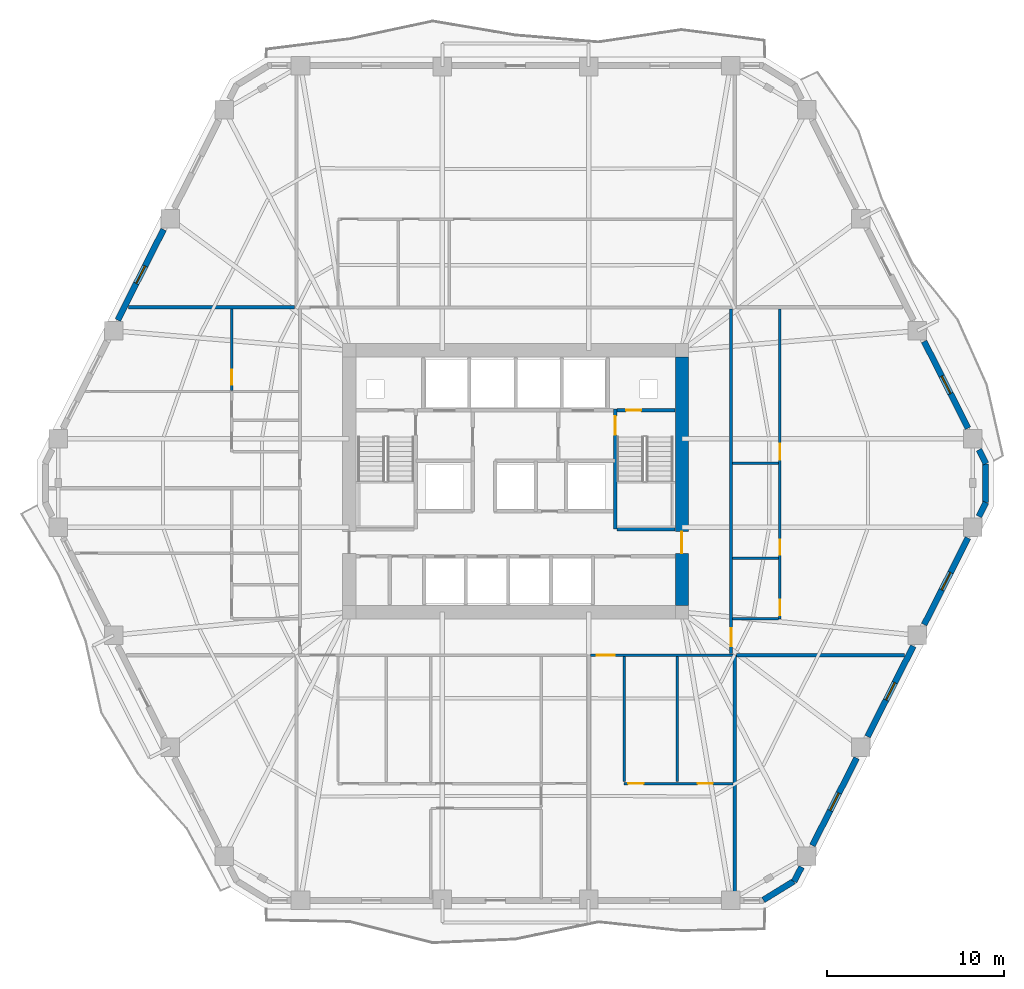
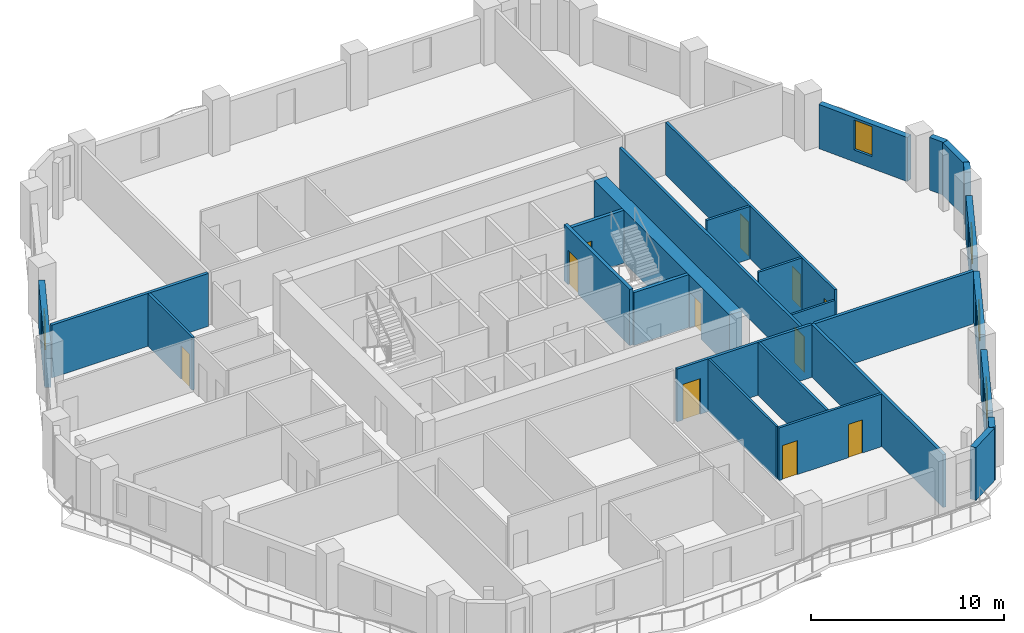
# One storey, part 6 of 10: 27 walls, 11 doors, 5 windows, 16 openings.
"""IFC4 building model written with IfcOpenShell, lengths in metres."""

from ifc_helpers import new_model, si_unit, direction, frame, frame_2d, origin, place, context, subcontext, project, spatial, rectangle, extrude, material, layer, layer_set, type_object, element, fill, save


model = new_model("IFC4")

# Units and contexts
model_context = context("Model", 3, precision=1e-05, world=origin(), true_north=direction((0.0, 1.0)))
body_context = subcontext(model_context, "Body", "Model", "MODEL_VIEW")
ifc_project = project(units=[si_unit("LENGTHUNIT", "METRE"), si_unit("AREAUNIT", "SQUARE_METRE"), si_unit("VOLUMEUNIT", "CUBIC_METRE"), si_unit("PLANEANGLEUNIT", "RADIAN"), si_unit("MASSUNIT", "GRAM", prefix="KILO")], contexts=[model_context])

# Site, building, storey
site_placement = place(None, origin())
site = spatial("IfcSite", under=ifc_project, at=site_placement, CompositionType="ELEMENT")
building_placement = place(site_placement, origin())
building = spatial("IfcBuilding", under=site, at=building_placement, Name="Cinnabar Lancet Tower", CompositionType="ELEMENT")
storey_placement = place(building_placement, frame((0.0, 0.0, 87.10009765625)))
storey = spatial("IfcBuildingStorey", under=building, at=storey_placement, Name="L22", CompositionType="ELEMENT", Elevation=87.10009765625)

# Wall, opening, door
ifc_material_1 = material(Name="Acoustic twin-stud gypsum partition", Category="gypsum")
ifc_layer_1 = layer(ifc_material_1, 0.159912109375)
ifc_layer_set_1 = layer_set([ifc_layer_1], Name="Acoustic twin-stud gypsum partition")
wall_type_1 = type_object("IfcWallType", Name="ARC-WL-CORR-160", PredefinedType="PARTITIONING", material=ifc_layer_set_1)
wall_1_placement = place(storey_placement, frame((36.616943359375, 16.10009765625, 0.0), z_axis=(0.0, 0.0, 1.0), x_axis=(1.0, 0.0, 0.0)))
wall_1 = element("IfcWall", 1, at=wall_1_placement, inside=storey, type_object=wall_type_1, Name="L22 Unit S02 Corridor Wall", PredefinedType="PARTITIONING", context=body_context, shape_type="SweptSolid", body=[
    extrude(rectangle(XDim=8.0380859375, YDim=0.159912109375, at=frame_2d((4.01904296875, 0.0))), origin(), (0.0, 0.0, 1.0), 3.329833984375),
])
opening_1_placement = place(wall_1_placement, frame((0.35498046875, 0.0, 0.0)))
opening_1 = element("IfcOpeningElement", 2, at=opening_1_placement, cuts=wall_1, Name="Opening UD-01", PredefinedType="OPENING", context=body_context, shape_type="SweptSolid", body=[
    extrude(rectangle(XDim=1.02001953125, YDim=2.25, at=frame_2d((0.510009765625, 1.125))), frame((0.0, 0.08984375, 0.0), z_axis=(0.0, -1.0, 0.0), x_axis=(1.0, 0.0, 0.0)), (0.0, 0.0, 1.0), 0.179931640625),
])
ifc_material_2 = material(Name="Solid timber fire-rated apartment entrance door", Category="wood")
door_type_1 = type_object("IfcDoorType", Name="ARC-DR-UNIT", OperationType="NOTDEFINED", PredefinedType="DOOR", material=ifc_material_2)
door_1_placement = place(opening_1_placement, origin())
door_1 = element("IfcDoor", 3, at=door_1_placement, inside=storey, type_object=door_type_1, Name="DR-L22-S02-ENT", OperationType="SINGLE_SWING_RIGHT", OverallHeight=2.25, OverallWidth=1.02001953125, PredefinedType="DOOR", context=body_context, shape_type="SweptSolid", body=[
    extrude(rectangle(XDim=1.02001953125, YDim=2.25, at=frame_2d((0.510009765625, 1.125))), frame((0.0, 0.02490234375, 0.0), z_axis=(0.0, -1.0, 0.0), x_axis=(1.0, 0.0, 0.0)), (0.0, 0.0, 1.0), 0.050048828125),
])
fill(opening_1, door_1)

wall_2_placement = place(storey_placement, frame((44.550048828125, 16.195068359375, 0.0), z_axis=(0.0, 0.0, 1.0), x_axis=(0.0, 1.0, 0.0)))
wall_2 = element("IfcWall", 4, at=wall_2_placement, inside=storey, type_object=wall_type_1, Name="UW-L22-E01-COR", PredefinedType="PARTITIONING", context=body_context, shape_type="SweptSolid", body=[
    extrude(rectangle(XDim=19.409912109375, YDim=0.159912109375, at=frame_2d((9.705078125, 0.0))), origin(), (0.0, 0.0, 1.0), 2.699951171875),
])
opening_2_placement = place(wall_2_placement, frame((0.39990234375, 0.0, 0.0)))
opening_2 = element("IfcOpeningElement", 5, at=opening_2_placement, cuts=wall_2, Name="Opening UD-01", PredefinedType="OPENING", context=body_context, shape_type="SweptSolid", body=[
    extrude(rectangle(XDim=1.02001953125, YDim=2.25, at=frame_2d((0.510009765625, 1.125))), frame((0.0, 0.08984375, 0.0), z_axis=(0.0, -1.0, 0.0), x_axis=(1.0, 0.0, 0.0)), (0.0, 0.0, 1.0), 0.179931640625),
])
door_2_placement = place(opening_2_placement, origin())
door_2 = element("IfcDoor", 6, at=door_2_placement, inside=storey, type_object=door_type_1, Name="DR-L22-E01-ENT", OperationType="SINGLE_SWING_RIGHT", OverallHeight=2.25, OverallWidth=1.02001953125, PredefinedType="DOOR", context=body_context, shape_type="SweptSolid", body=[
    extrude(rectangle(XDim=1.02001953125, YDim=2.25, at=frame_2d((0.510009765625, 1.125))), frame((0.0, 0.02490234375, 0.0), z_axis=(0.0, -1.0, 0.0), x_axis=(1.0, 0.0, 0.0)), (0.0, 0.0, 1.0), 0.050048828125),
])
fill(opening_2, door_2)

# Walls
ifc_material_3 = material(Name="Fire-rated twin-frame acoustic drywall", Category="gypsum")
ifc_layer_2 = layer(ifc_material_3, 0.179931640625)
ifc_layer_set_2 = layer_set([ifc_layer_2], Name="Fire-rated twin-frame acoustic drywall")
wall_type_2 = type_object("IfcWallType", Name="ARC-WL-PARTY-180", PredefinedType="PARTITIONING", material=ifc_layer_set_2)
wall_3_placement = place(storey_placement, frame((44.75, 2.455078125, 0.0), z_axis=(0.0, 0.0, 1.0), x_axis=(0.0, 1.0, 0.0)))
element("IfcWall", 7, at=wall_3_placement, inside=storey, type_object=wall_type_2, Name="PW-L22-SPTY-448", PredefinedType="PARTITIONING", context=body_context, shape_type="SweptSolid", body=[
    extrude(rectangle(XDim=13.64501953125, YDim=0.179931640625, at=frame_2d((6.822509765625, 0.0))), origin(), (0.0, 0.0, 1.0), 3.329833984375),
])
wall_4_placement = place(storey_placement, frame((44.844970703125, 16.10009765625, 0.0), z_axis=(0.0, 0.0, 1.0), x_axis=(1.0, 0.0, 0.0)))
element("IfcWall", 8, at=wall_4_placement, inside=storey, type_object=wall_type_2, Name="PW-L22-ESB", PredefinedType="PARTITIONING", context=body_context, shape_type="SweptSolid", body=[
    extrude(rectangle(XDim=9.467041015625, YDim=0.179931640625, at=frame_2d((4.7333984375, 0.0))), origin(), (0.0, 0.0, 1.0), 3.329833984375),
])
wall_5_placement = place(storey_placement, frame((10.589111328125, 35.699951171875, 0.0), z_axis=(0.0, 0.0, 1.0), x_axis=(1.0, 0.0, 0.0)))
element("IfcWall", 9, at=wall_5_placement, inside=storey, type_object=wall_type_2, Name="PW-L22-WNB", PredefinedType="PARTITIONING", context=body_context, shape_type="SweptSolid", body=[
    extrude(rectangle(XDim=9.365966796875, YDim=0.179931640625, at=frame_2d((4.68310546875, 0.0))), origin(), (0.0, 0.0, 1.0), 3.329833984375),
])
ifc_material_4 = material(Name="Autoclaved aerated concrete blockwork", Category="masonry")
ifc_layer_3 = layer(ifc_material_4, 0.199951171875)
ifc_layer_set_3 = layer_set([ifc_layer_3], Name="Autoclaved aerated concrete blockwork")
wall_type_3 = type_object("IfcWallType", Name="ARC-WL-SHAFT-200", PredefinedType="PLUMBINGWALL", material=ifc_layer_set_3)
wall_6_placement = place(storey_placement, frame((38.125, 23.199951171875, 0.0), z_axis=(0.0, 0.0, 1.0), x_axis=(1.0, 0.0, 0.0)))
element("IfcWall", 10, at=wall_6_placement, inside=storey, type_object=wall_type_3, Name="CW-ST2S-L22", PredefinedType="PLUMBINGWALL", context=body_context, shape_type="SweptSolid", body=[
    extrude(rectangle(XDim=3.27001953125, YDim=0.199951171875, at=frame_2d((1.635009765625, 0.0))), origin(), (0.0, 0.0, 1.0), 3.329833984375),
])

# Wall, opening, door
wall_7_placement = place(storey_placement, frame((38.125, 29.89990234375, 0.0), z_axis=(0.0, 0.0, 1.0), x_axis=(1.0, 0.0, 0.0)))
wall_7 = element("IfcWall", 11, at=wall_7_placement, inside=storey, type_object=wall_type_3, Name="CW-NSH-E-L22", PredefinedType="PLUMBINGWALL", context=body_context, shape_type="SweptSolid", body=[
    extrude(rectangle(XDim=3.27001953125, YDim=0.199951171875, at=frame_2d((1.635009765625, 0.0))), origin(), (0.0, 0.0, 1.0), 3.329833984375),
])
opening_3_placement = place(wall_7_placement, frame((0.5, 0.0, 0.0)))
opening_3 = element("IfcOpeningElement", 12, at=opening_3_placement, cuts=wall_7, Name="Opening PD-02", PredefinedType="OPENING", context=body_context, shape_type="SweptSolid", body=[
    extrude(rectangle(XDim=0.85009765625, YDim=2.050048828125, at=frame_2d((0.425048828125, 1.02490234375))), frame((0.0, 0.10986328125, 0.0), z_axis=(0.0, -1.0, 0.0), x_axis=(1.0, 0.0, 0.0)), (0.0, 0.0, 1.0), 0.219970703125),
])
ifc_material_5 = material(Name="Fire-rated steel riser access door", Category="steel")
door_type_2 = type_object("IfcDoorType", Name="ARC-DR-RISER", OperationType="NOTDEFINED", PredefinedType="DOOR", material=ifc_material_5)
door_3_placement = place(opening_3_placement, origin())
door_3 = element("IfcDoor", 13, at=door_3_placement, inside=storey, type_object=door_type_2, Name="L22 East Riser Access Door", OperationType="SINGLE_SWING_RIGHT", OverallHeight=2.050048828125, OverallWidth=0.85009765625, PredefinedType="DOOR", context=body_context, shape_type="SweptSolid", body=[
    extrude(rectangle(XDim=0.85009765625, YDim=2.050048828125, at=frame_2d((0.425048828125, 1.02490234375))), frame((0.0, 0.02490234375, 0.0), z_axis=(0.0, -1.0, 0.0), x_axis=(1.0, 0.0, 0.0)), (0.0, 0.0, 1.0), 0.050048828125),
])
fill(opening_3, door_3)

# Walls
ifc_material_6 = material(Name="Gypsum plasterboard stud partition", Category="gypsum")
ifc_layer_4 = layer(ifc_material_6, 0.125)
ifc_layer_set_4 = layer_set([ifc_layer_4], Name="Gypsum plasterboard stud partition")
wall_type_4 = type_object("IfcWallType", Name="ARC-WL-UNIT-125", PredefinedType="PARTITIONING", material=ifc_layer_set_4)
wall_8_placement = place(storey_placement, frame((38.52197265625, 8.972900390625, 0.0), z_axis=(0.0, 0.0, 1.0), x_axis=(0.0, 1.0, 0.0)))
element("IfcWall", 14, at=wall_8_placement, inside=storey, type_object=wall_type_4, Name="UW-L22-S02-FOYE", PredefinedType="PARTITIONING", context=body_context, shape_type="SweptSolid", body=[
    extrude(rectangle(XDim=7.0419921875, YDim=0.125, at=frame_2d((3.52099609375, 0.0))), origin(), (0.0, 0.0, 1.0), 3.329833984375),
])
wall_9_placement = place(storey_placement, frame((44.635009765625, 18.14990234375, 0.0), z_axis=(0.0, 0.0, 1.0), x_axis=(1.0, 0.0, 0.0)))
element("IfcWall", 15, at=wall_9_placement, inside=storey, type_object=wall_type_4, Name="UW-L22-E01-FOYN", PredefinedType="PARTITIONING", context=body_context, shape_type="SweptSolid", body=[
    extrude(rectangle(XDim=2.580078125, YDim=0.125, at=frame_2d((1.2900390625, 0.0))), origin(), (0.0, 0.0, 1.0), 2.699951171875),
])

# Wall, openings, doors
ifc_material_7 = material(Name="Moisture-resistant cement-board plumbing wall", Category="masonry")
ifc_layer_5 = layer(ifc_material_7, 0.139892578125)
ifc_layer_set_5 = layer_set([ifc_layer_5], Name="Moisture-resistant cement-board plumbing wall")
wall_type_5 = type_object("IfcWallType", Name="ARC-WL-WET-140", PredefinedType="PLUMBINGWALL", material=ifc_layer_set_5)
wall_10_placement = place(storey_placement, frame((38.52197265625, 8.867919921875, 0.0), z_axis=(0.0, 0.0, 1.0), x_axis=(1.0, 0.0, 0.0)))
wall_10 = element("IfcWall", 16, at=wall_10_placement, inside=storey, type_object=wall_type_5, Name="UW-L22-S02-SPL", PredefinedType="PLUMBINGWALL", context=body_context, shape_type="SweptSolid", body=[
    extrude(rectangle(XDim=6.133056640625, YDim=0.139892578125, at=frame_2d((3.06640625, 0.0))), origin(), (0.0, 0.0, 1.0), 3.329833984375),
])
opening_4_placement = place(wall_10_placement, frame((4.135986328125, 0.0, 0.0)))
opening_4 = element("IfcOpeningElement", 17, at=opening_4_placement, cuts=wall_10, Name="Opening BD-01", PredefinedType="OPENING", context=body_context, shape_type="SweptSolid", body=[
    extrude(rectangle(XDim=0.860107421875, YDim=2.10009765625, at=frame_2d((0.43017578125, 1.050048828125))), frame((0.0, 0.079833984375, 0.0), z_axis=(0.0, -1.0, 0.0), x_axis=(1.0, 0.0, 0.0)), (0.0, 0.0, 1.0), 0.159912109375),
])
opening_5_placement = place(wall_10_placement, frame((0.219970703125, 0.0, 0.0)))
opening_5 = element("IfcOpeningElement", 18, at=opening_5_placement, cuts=wall_10, Name="Opening RD-02", PredefinedType="OPENING", context=body_context, shape_type="SweptSolid", body=[
    extrude(rectangle(XDim=0.8798828125, YDim=2.14990234375, at=frame_2d((0.43994140625, 1.074951171875))), frame((0.0, 0.079833984375, 0.0), z_axis=(0.0, -1.0, 0.0), x_axis=(1.0, 0.0, 0.0)), (0.0, 0.0, 1.0), 0.159912109375),
])
ifc_material_8 = material(Name="Moisture-resistant timber bathroom door", Category="wood")
door_type_3 = type_object("IfcDoorType", Name="ARC-DR-BATH", OperationType="NOTDEFINED", PredefinedType="DOOR", material=ifc_material_8)
door_4_placement = place(opening_4_placement, origin())
door_4 = element("IfcDoor", 19, at=door_4_placement, inside=storey, type_object=door_type_3, Name="DR-L22-S02-BTH", OperationType="SINGLE_SWING_RIGHT", OverallHeight=2.10009765625, OverallWidth=0.860107421875, PredefinedType="DOOR", context=body_context, shape_type="SweptSolid", body=[
    extrude(rectangle(XDim=0.860107421875, YDim=2.10009765625, at=frame_2d((0.43017578125, 1.050048828125))), frame((0.0, 0.02490234375, 0.0), z_axis=(0.0, -1.0, 0.0), x_axis=(1.0, 0.0, 0.0)), (0.0, 0.0, 1.0), 0.050048828125),
])
fill(opening_4, door_4)
ifc_material_9 = material(Name="Engineered timber study door", Category="wood")
door_type_4 = type_object("IfcDoorType", Name="ARC-DR-STUDY", OperationType="NOTDEFINED", PredefinedType="DOOR", material=ifc_material_9)
door_5_placement = place(opening_5_placement, origin())
door_5 = element("IfcDoor", 20, at=door_5_placement, inside=storey, type_object=door_type_4, Name="DR-L22-S02-KIT", OperationType="SINGLE_SWING_LEFT", OverallHeight=2.14990234375, OverallWidth=0.8798828125, PredefinedType="DOOR", context=body_context, shape_type="SweptSolid", body=[
    extrude(rectangle(XDim=0.8798828125, YDim=2.14990234375, at=frame_2d((0.43994140625, 1.074951171875))), frame((0.0, 0.02490234375, 0.0), z_axis=(0.0, -1.0, 0.0), x_axis=(1.0, 0.0, 0.0)), (0.0, 0.0, 1.0), 0.050048828125),
])
fill(opening_5, door_5)

# Wall
wall_11_placement = place(storey_placement, frame((41.510986328125, 8.972900390625, 0.0), z_axis=(0.0, 0.0, 1.0), x_axis=(0.0, 1.0, 0.0)))
element("IfcWall", 21, at=wall_11_placement, inside=storey, type_object=wall_type_5, Name="UW-L22-S02-KDV", PredefinedType="PLUMBINGWALL", context=body_context, shape_type="SweptSolid", body=[
    extrude(rectangle(XDim=7.0419921875, YDim=0.139892578125, at=frame_2d((3.52099609375, 0.0))), origin(), (0.0, 0.0, 1.0), 3.329833984375),
])

# Wall, opening, door
wall_12_placement = place(storey_placement, frame((16.39990234375, 31.028076171875, 0.0), z_axis=(0.0, 0.0, 1.0), x_axis=(0.0, 1.0, 0.0)))
wall_12 = element("IfcWall", 22, at=wall_12_placement, inside=storey, type_object=wall_type_5, Name="UW-L22-W02-SPM", PredefinedType="PLUMBINGWALL", context=body_context, shape_type="SweptSolid", body=[
    extrude(rectangle(XDim=4.576904296875, YDim=0.139892578125, at=frame_2d((2.28857421875, 0.0))), origin(), (0.0, 0.0, 1.0), 3.329833984375),
])
opening_6_placement = place(wall_12_placement, frame((0.300048828125, 0.0, 0.0)))
opening_6 = element("IfcOpeningElement", 23, at=opening_6_placement, cuts=wall_12, Name="Opening BD-01", PredefinedType="OPENING", context=body_context, shape_type="SweptSolid", body=[
    extrude(rectangle(XDim=0.860107421875, YDim=2.10009765625, at=frame_2d((0.43017578125, 1.050048828125))), frame((0.0, 0.079833984375, 0.0), z_axis=(0.0, -1.0, 0.0), x_axis=(1.0, 0.0, 0.0)), (0.0, 0.0, 1.0), 0.159912109375),
])
door_6_placement = place(opening_6_placement, origin())
door_6 = element("IfcDoor", 24, at=door_6_placement, inside=storey, type_object=door_type_3, Name="DR-L22-W02-ENS", OperationType="SINGLE_SWING_RIGHT", OverallHeight=2.10009765625, OverallWidth=0.860107421875, PredefinedType="DOOR", context=body_context, shape_type="SweptSolid", body=[
    extrude(rectangle(XDim=0.860107421875, YDim=2.10009765625, at=frame_2d((0.43017578125, 1.050048828125))), frame((0.0, 0.02490234375, 0.0), z_axis=(0.0, -1.0, 0.0), x_axis=(1.0, 0.0, 0.0)), (0.0, 0.0, 1.0), 0.050048828125),
])
fill(opening_6, door_6)

# Wall, openings, doors
wall_13_placement = place(storey_placement, frame((47.300048828125, 18.14990234375, 0.0), z_axis=(0.0, 0.0, 1.0), x_axis=(0.0, 1.0, 0.0)))
wall_13 = element("IfcWall", 25, at=wall_13_placement, inside=storey, type_object=wall_type_5, Name="UW-L22-E01-SPL", PredefinedType="PLUMBINGWALL", context=body_context, shape_type="SweptSolid", body=[
    extrude(rectangle(XDim=17.455078125, YDim=0.139892578125, at=frame_2d((8.7275390625, 0.0))), origin(), (0.0, 0.0, 1.0), 3.329833984375),
])
opening_7_placement = place(wall_13_placement, frame((3.60009765625, 0.0, 0.0)))
opening_7 = element("IfcOpeningElement", 26, at=opening_7_placement, cuts=wall_13, Name="Opening BD-01", PredefinedType="OPENING", context=body_context, shape_type="SweptSolid", body=[
    extrude(rectangle(XDim=0.860107421875, YDim=2.10009765625, at=frame_2d((0.43017578125, 1.050048828125))), frame((0.0, 0.079833984375, 0.0), z_axis=(0.0, -1.0, 0.0), x_axis=(1.0, 0.0, 0.0)), (0.0, 0.0, 1.0), 0.159912109375),
])
opening_8_placement = place(wall_13_placement, frame((8.969970703125, 0.0, 0.0)))
opening_8 = element("IfcOpeningElement", 27, at=opening_8_placement, cuts=wall_13, Name="Opening RD-02", PredefinedType="OPENING", context=body_context, shape_type="SweptSolid", body=[
    extrude(rectangle(XDim=0.8798828125, YDim=2.14990234375, at=frame_2d((0.43994140625, 1.074951171875))), frame((0.0, 0.079833984375, 0.0), z_axis=(0.0, -1.0, 0.0), x_axis=(1.0, 0.0, 0.0)), (0.0, 0.0, 1.0), 0.159912109375),
])
opening_9_placement = place(wall_13_placement, frame((0.199951171875, 0.0, 0.0)))
opening_9 = element("IfcOpeningElement", 28, at=opening_9_placement, cuts=wall_13, Name="Opening RD-02", PredefinedType="OPENING", context=body_context, shape_type="SweptSolid", body=[
    extrude(rectangle(XDim=0.8798828125, YDim=2.14990234375, at=frame_2d((0.43994140625, 1.074951171875))), frame((0.0, 0.079833984375, 0.0), z_axis=(0.0, -1.0, 0.0), x_axis=(1.0, 0.0, 0.0)), (0.0, 0.0, 1.0), 0.159912109375),
])
door_7_placement = place(opening_7_placement, origin())
door_7 = element("IfcDoor", 29, at=door_7_placement, inside=storey, type_object=door_type_3, Name="DR-L22-E01-BTH", OperationType="SINGLE_SWING_RIGHT", OverallHeight=2.10009765625, OverallWidth=0.860107421875, PredefinedType="DOOR", context=body_context, shape_type="SweptSolid", body=[
    extrude(rectangle(XDim=0.860107421875, YDim=2.10009765625, at=frame_2d((0.43017578125, 1.050048828125))), frame((0.0, 0.02490234375, 0.0), z_axis=(0.0, -1.0, 0.0), x_axis=(1.0, 0.0, 0.0)), (0.0, 0.0, 1.0), 0.050048828125),
])
fill(opening_7, door_7)
door_8_placement = place(opening_8_placement, origin())
door_8 = element("IfcDoor", 30, at=door_8_placement, inside=storey, type_object=door_type_4, Name="DR-L22-E01-WDR", OperationType="SINGLE_SWING_LEFT", OverallHeight=2.14990234375, OverallWidth=0.8798828125, PredefinedType="DOOR", context=body_context, shape_type="SweptSolid", body=[
    extrude(rectangle(XDim=0.8798828125, YDim=2.14990234375, at=frame_2d((0.43994140625, 1.074951171875))), frame((0.0, 0.02490234375, 0.0), z_axis=(0.0, -1.0, 0.0), x_axis=(1.0, 0.0, 0.0)), (0.0, 0.0, 1.0), 0.050048828125),
])
fill(opening_8, door_8)
door_9_placement = place(opening_9_placement, origin())
door_9 = element("IfcDoor", 31, at=door_9_placement, inside=storey, type_object=door_type_4, Name="DR-L22-E01-KIT", OperationType="SINGLE_SWING_LEFT", OverallHeight=2.14990234375, OverallWidth=0.8798828125, PredefinedType="DOOR", context=body_context, shape_type="SweptSolid", body=[
    extrude(rectangle(XDim=0.8798828125, YDim=2.14990234375, at=frame_2d((0.43994140625, 1.074951171875))), frame((0.0, 0.02490234375, 0.0), z_axis=(0.0, -1.0, 0.0), x_axis=(1.0, 0.0, 0.0)), (0.0, 0.0, 1.0), 0.050048828125),
])
fill(opening_9, door_9)

# Walls
for number, where, z_axis, x_axis, name in (
    (32, (44.635009765625, 21.550048828125, 0.0), (0.0, 0.0, 1.0), (1.0, 0.0, 0.0), "UW-L22-E01-KDV"),
    (33, (44.635009765625, 26.919921875, 0.0), (0.0, 0.0, 1.0), (1.0, 0.0, 0.0), "UW-L22-E01-BWDV"),
):
    element("IfcWall", number, at=place(storey_placement, frame(where, z_axis=z_axis, x_axis=x_axis)), inside=storey, type_object=wall_type_5, Name=name, PredefinedType="PLUMBINGWALL", context=body_context, shape_type="SweptSolid", body=[
        extrude(rectangle(XDim=2.580078125, YDim=0.139892578125, at=frame_2d((1.2900390625, 0.0))), origin(), (0.0, 0.0, 1.0), 3.329833984375),
    ])
ifc_material_10 = material(Name="Cinnabar red clay brick", Category="masonry")
ifc_layer_6 = layer(ifc_material_10, 0.340087890625)
ifc_layer_set_6 = layer_set([ifc_layer_6], Name="Cinnabar red clay brick")
wall_type_6 = type_object("IfcWallType", Name="ENV-WL-BRK-RED-340", PredefinedType="STANDARD", material=ifc_layer_set_6)
wall_14_placement = place(storey_placement, frame((46.361083984375, 2.304931640625, 0.0), z_axis=(0.0, 0.0, 1.0), x_axis=(0.851816122478, 0.523840904748, 0.0)))
element("IfcWall", 34, at=wall_14_placement, inside=storey, type_object=wall_type_6, Name="L22 Chamfered Corner Brick Pier 2.1", PredefinedType="STANDARD", context=body_context, shape_type="SweptSolid", body=[
    extrude(rectangle(XDim=2.01806640625, YDim=0.340087890625, at=frame_2d((1.009033203125, 0.0))), origin(), (0.0, 0.0, 1.0), 3.329833984375),
])
wall_15_placement = place(storey_placement, frame((58.887939453125, 24.714111328125, 0.0), z_axis=(0.0, 0.0, 1.0), x_axis=(0.0, 1.0, 0.0)))
element("IfcWall", 35, at=wall_15_placement, inside=storey, type_object=wall_type_6, Name="L22 Chamfered Corner Brick Pier 3.1", PredefinedType="STANDARD", context=body_context, shape_type="SweptSolid", body=[
    extrude(rectangle(XDim=2.171875, YDim=0.340087890625, at=frame_2d((1.0859375, 0.0))), origin(), (0.0, 0.0, 1.0), 3.329833984375),
])
wall_16_placement = place(storey_placement, frame((48.10009765625, 3.345947265625, 0.0), z_axis=(0.0, 0.0, 1.0), x_axis=(0.451981678291, 0.892027220711, 0.0)))
element("IfcWall", 36, at=wall_16_placement, inside=storey, type_object=wall_type_6, Name="L22 Face 2 Masonry Bay Wall 1", PredefinedType="STANDARD", context=body_context, shape_type="SweptSolid", body=[
    extrude(rectangle(XDim=0.92041015625, YDim=0.340087890625, at=frame_2d((0.460205078125, 0.0))), origin(), (0.0, 0.0, 1.0), 3.329833984375),
])

# Wall, opening, window
wall_17_placement = place(storey_placement, frame((49.1279296875, 5.37890625, 0.0), z_axis=(0.0, 0.0, 1.0), x_axis=(0.451719795315, 0.892159866011, 0.0)))
wall_17 = element("IfcWall", 37, at=wall_17_placement, inside=storey, type_object=wall_type_6, Name="L22 Face 2 Masonry Bay Wall 2", PredefinedType="STANDARD", context=body_context, shape_type="SweptSolid", body=[
    extrude(rectangle(XDim=5.519287109375, YDim=0.340087890625, at=frame_2d((2.759765625, 0.0))), origin(), (0.0, 0.0, 1.0), 2.786865234375),
])
opening_10_placement = place(wall_17_placement, frame((2.2099609375, 0.0, 0.75)))
opening_10 = element("IfcOpeningElement", 38, at=opening_10_placement, cuts=wall_17, Name="Opening WN-04", PredefinedType="OPENING", context=body_context, shape_type="SweptSolid", body=[
    extrude(rectangle(XDim=1.10009765625, YDim=1.886962890625, at=frame_2d((0.550048828125, 0.943359375))), frame((0.0, 0.179931640625, 0.0), z_axis=(0.0, -1.0, 0.0), x_axis=(1.0, 0.0, 0.0)), (0.0, 0.0, 1.0), 0.360107421875),
])
ifc_material_11 = material(Name="Thermally broken bronze-anodized aluminium tall lancet window", Category="aluminium")
window_type = type_object("IfcWindowType", Name="ENV-WN-LANCET-1100", PartitioningType="SINGLE_PANEL", PredefinedType="WINDOW", material=ifc_material_11)
window_1_placement = place(opening_10_placement, origin())
window_1 = element("IfcWindow", 39, at=window_1_placement, inside=storey, type_object=window_type, Name="L22 Face 2 Gothic Lancet Window 2", OverallHeight=1.886962890625, OverallWidth=1.10009765625, PartitioningType="SINGLE_PANEL", PredefinedType="WINDOW", context=body_context, shape_type="SweptSolid", body=[
    extrude(rectangle(XDim=1.10009765625, YDim=1.886962890625, at=frame_2d((0.550048828125, 0.943359375))), frame((0.0, 0.030029296875, 0.0), z_axis=(0.0, -1.0, 0.0), x_axis=(1.0, 0.0, 0.0)), (0.0, 0.0, 1.0), 0.06005859375),
])
fill(opening_10, window_1)

wall_18_placement = place(storey_placement, frame((52.23291015625, 11.514892578125, 0.0), z_axis=(0.0, 0.0, 1.0), x_axis=(0.451616680182, 0.892212067942, 0.0)))
wall_18 = element("IfcWall", 40, at=wall_18_placement, inside=storey, type_object=wall_type_6, Name="L22 Face 2 Masonry Bay Wall 3", PredefinedType="STANDARD", context=body_context, shape_type="SweptSolid", body=[
    extrude(rectangle(XDim=5.715087890625, YDim=0.340087890625, at=frame_2d((2.857421875, 0.0))), origin(), (0.0, 0.0, 1.0), 2.786865234375),
])
opening_11_placement = place(wall_18_placement, frame((2.30810546875, 0.0, 0.75)))
opening_11 = element("IfcOpeningElement", 41, at=opening_11_placement, cuts=wall_18, Name="Opening WN-04", PredefinedType="OPENING", context=body_context, shape_type="SweptSolid", body=[
    extrude(rectangle(XDim=1.10009765625, YDim=1.886962890625, at=frame_2d((0.550048828125, 0.943359375))), frame((0.0, 0.179931640625, 0.0), z_axis=(0.0, -1.0, 0.0), x_axis=(1.0, 0.0, 0.0)), (0.0, 0.0, 1.0), 0.360107421875),
])
window_2_placement = place(opening_11_placement, origin())
window_2 = element("IfcWindow", 42, at=window_2_placement, inside=storey, type_object=window_type, Name="L22 Face 2 Gothic Lancet Window 3", OverallHeight=1.886962890625, OverallWidth=1.10009765625, PartitioningType="SINGLE_PANEL", PredefinedType="WINDOW", context=body_context, shape_type="SweptSolid", body=[
    extrude(rectangle(XDim=1.10009765625, YDim=1.886962890625, at=frame_2d((0.550048828125, 0.943359375))), frame((0.0, 0.030029296875, 0.0), z_axis=(0.0, -1.0, 0.0), x_axis=(1.0, 0.0, 0.0)), (0.0, 0.0, 1.0), 0.06005859375),
])
fill(opening_11, window_2)

wall_19_placement = place(storey_placement, frame((55.426025390625, 17.823974609375, 0.0), z_axis=(0.0, 0.0, 1.0), x_axis=(0.451579095309, 0.892231091523, 0.0)))
wall_19 = element("IfcWall", 43, at=wall_19_placement, inside=storey, type_object=wall_type_6, Name="L22 Face 2 Masonry Bay Wall 4", PredefinedType="STANDARD", context=body_context, shape_type="SweptSolid", body=[
    extrude(rectangle(XDim=5.473876953125, YDim=0.340087890625, at=frame_2d((2.73681640625, 0.0))), origin(), (0.0, 0.0, 1.0), 2.786865234375),
])
opening_12_placement = place(wall_19_placement, frame((2.18701171875, 0.0, 0.75)))
opening_12 = element("IfcOpeningElement", 44, at=opening_12_placement, cuts=wall_19, Name="Opening WN-04", PredefinedType="OPENING", context=body_context, shape_type="SweptSolid", body=[
    extrude(rectangle(XDim=1.10009765625, YDim=1.886962890625, at=frame_2d((0.550048828125, 0.943359375))), frame((0.0, 0.179931640625, 0.0), z_axis=(0.0, -1.0, 0.0), x_axis=(1.0, 0.0, 0.0)), (0.0, 0.0, 1.0), 0.360107421875),
])
window_3_placement = place(opening_12_placement, origin())
window_3 = element("IfcWindow", 45, at=window_3_placement, inside=storey, type_object=window_type, Name="L22 Face 2 Gothic Lancet Window 4", OverallHeight=1.886962890625, OverallWidth=1.10009765625, PartitioningType="SINGLE_PANEL", PredefinedType="WINDOW", context=body_context, shape_type="SweptSolid", body=[
    extrude(rectangle(XDim=1.10009765625, YDim=1.886962890625, at=frame_2d((0.550048828125, 0.943359375))), frame((0.0, 0.030029296875, 0.0), z_axis=(0.0, -1.0, 0.0), x_axis=(1.0, 0.0, 0.0)), (0.0, 0.0, 1.0), 0.06005859375),
])
fill(opening_12, window_3)

# Walls
wall_20_placement = place(storey_placement, frame((58.510986328125, 23.919921875, 0.0), z_axis=(0.0, 0.0, 1.0), x_axis=(0.451195173259, 0.892425299747, 0.0)))
element("IfcWall", 46, at=wall_20_placement, inside=storey, type_object=wall_type_6, Name="L22 Face 2 Masonry Bay Wall 5", PredefinedType="STANDARD", context=body_context, shape_type="SweptSolid", body=[
    extrude(rectangle(XDim=0.882080078125, YDim=0.340087890625, at=frame_2d((0.44091796875, 0.0))), origin(), (0.0, 0.0, 1.0), 3.329833984375),
])
wall_21_placement = place(storey_placement, frame((58.908935546875, 26.89306640625, 0.0), z_axis=(0.0, 0.0, 1.0), x_axis=(-0.451306655769, 0.892368927327, 0.0)))
element("IfcWall", 47, at=wall_21_placement, inside=storey, type_object=wall_type_6, Name="L22 Face 3 Masonry Bay Wall 1", PredefinedType="STANDARD", context=body_context, shape_type="SweptSolid", body=[
    extrude(rectangle(XDim=0.8818359375, YDim=0.340087890625, at=frame_2d((0.44091796875, 0.0))), origin(), (0.0, 0.0, 1.0), 3.329833984375),
])

# Wall, opening, window
wall_22_placement = place(storey_placement, frame((57.89794921875, 28.89208984375, 0.0), z_axis=(0.0, 0.0, 1.0), x_axis=(-0.451597066012, 0.892221995901, 0.0)))
wall_22 = element("IfcWall", 48, at=wall_22_placement, inside=storey, type_object=wall_type_6, Name="L22 Face 3 Masonry Bay Wall 2", PredefinedType="STANDARD", context=body_context, shape_type="SweptSolid", body=[
    extrude(rectangle(XDim=5.4736328125, YDim=0.340087890625, at=frame_2d((2.73681640625, 0.0))), origin(), (0.0, 0.0, 1.0), 2.786865234375),
])
opening_13_placement = place(wall_22_placement, frame((2.18701171875, 0.0, 0.75)))
opening_13 = element("IfcOpeningElement", 49, at=opening_13_placement, cuts=wall_22, Name="Opening WN-04", PredefinedType="OPENING", context=body_context, shape_type="SweptSolid", body=[
    extrude(rectangle(XDim=1.10009765625, YDim=1.886962890625, at=frame_2d((0.550048828125, 0.943359375))), frame((0.0, 0.179931640625, 0.0), z_axis=(0.0, -1.0, 0.0), x_axis=(1.0, 0.0, 0.0)), (0.0, 0.0, 1.0), 0.360107421875),
])
window_4_placement = place(opening_13_placement, origin())
window_4 = element("IfcWindow", 50, at=window_4_placement, inside=storey, type_object=window_type, Name="L22 Face 3 Gothic Lancet Window 2", OverallHeight=1.886962890625, OverallWidth=1.10009765625, PartitioningType="SINGLE_PANEL", PredefinedType="WINDOW", context=body_context, shape_type="SweptSolid", body=[
    extrude(rectangle(XDim=1.10009765625, YDim=1.886962890625, at=frame_2d((0.550048828125, 0.943359375))), frame((0.0, 0.030029296875, 0.0), z_axis=(0.0, -1.0, 0.0), x_axis=(1.0, 0.0, 0.0)), (0.0, 0.0, 1.0), 0.06005859375),
])
fill(opening_13, window_4)

wall_23_placement = place(storey_placement, frame((12.56689453125, 40.0849609375, 0.0), z_axis=(0.0, 0.0, 1.0), x_axis=(-0.451599886425, -0.892220568347, 0.0)))
wall_23 = element("IfcWall", 51, at=wall_23_placement, inside=storey, type_object=wall_type_6, Name="L22 Face 5 Masonry Bay Wall 3", PredefinedType="STANDARD", context=body_context, shape_type="SweptSolid", body=[
    extrude(rectangle(XDim=5.71484375, YDim=0.340087890625, at=frame_2d((2.857421875, 0.0))), origin(), (0.0, 0.0, 1.0), 2.786865234375),
])
opening_14_placement = place(wall_23_placement, frame((2.30810546875, 0.0, 0.75)))
opening_14 = element("IfcOpeningElement", 52, at=opening_14_placement, cuts=wall_23, Name="Opening WN-04", PredefinedType="OPENING", context=body_context, shape_type="SweptSolid", body=[
    extrude(rectangle(XDim=1.10009765625, YDim=1.886962890625, at=frame_2d((0.550048828125, 0.943359375))), frame((0.0, 0.179931640625, 0.0), z_axis=(0.0, -1.0, 0.0), x_axis=(1.0, 0.0, 0.0)), (0.0, 0.0, 1.0), 0.360107421875),
])
window_5_placement = place(opening_14_placement, origin())
window_5 = element("IfcWindow", 53, at=window_5_placement, inside=storey, type_object=window_type, Name="L22 Face 5 Gothic Lancet Window 3", OverallHeight=1.886962890625, OverallWidth=1.10009765625, PartitioningType="SINGLE_PANEL", PredefinedType="WINDOW", context=body_context, shape_type="SweptSolid", body=[
    extrude(rectangle(XDim=1.10009765625, YDim=1.886962890625, at=frame_2d((0.550048828125, 0.943359375))), frame((0.0, 0.030029296875, 0.0), z_axis=(0.0, -1.0, 0.0), x_axis=(1.0, 0.0, 0.0)), (0.0, 0.0, 1.0), 0.06005859375),
])
fill(opening_14, window_5)

# Wall, opening, door
ifc_material_12 = material(Name="Concrete C70/85", Category="concrete")
ifc_layer_7 = layer(ifc_material_12, 0.75)
ifc_layer_set_7 = layer_set([ifc_layer_7], Name="Concrete C70/85")
wall_type_7 = type_object("IfcWallType", Name="STR-WL-CORE-750", PredefinedType="SHEAR", material=ifc_layer_set_7)
wall_24_placement = place(storey_placement, frame((41.77490234375, 18.89990234375, 0.0), z_axis=(0.0, 0.0, 1.0), x_axis=(0.0, 1.0, 0.0)))
wall_24 = element("IfcWall", 54, at=wall_24_placement, inside=storey, type_object=wall_type_7, Name="L22 Core Shear Wall E", PredefinedType="SHEAR", context=body_context, shape_type="SweptSolid", body=[
    extrude(rectangle(XDim=14.0, YDim=0.75, at=frame_2d((7.0, 0.0))), origin(), (0.0, 0.0, 1.0), 3.329833984375),
])
opening_15_placement = place(wall_24_placement, frame((2.93994140625, 0.0, 0.0)))
opening_15 = element("IfcOpeningElement", 55, at=opening_15_placement, cuts=wall_24, Name="Opening FD-02", PredefinedType="OPENING", context=body_context, shape_type="SweptSolid", body=[
    extrude(rectangle(XDim=1.219970703125, YDim=2.25, at=frame_2d((0.60986328125, 1.125))), frame((0.0, 0.385009765625, 0.0), z_axis=(0.0, -1.0, 0.0), x_axis=(1.0, 0.0, 0.0)), (0.0, 0.0, 1.0), 0.77001953125),
])
ifc_material_13 = material(Name="Fire-rated double-vision core portal door", Category="wood")
door_type_5 = type_object("IfcDoorType", Name="ARC-DR-CPORT", OperationType="NOTDEFINED", PredefinedType="DOOR", material=ifc_material_13)
door_10_placement = place(opening_15_placement, origin())
door_10 = element("IfcDoor", 56, at=door_10_placement, inside=storey, type_object=door_type_5, Name="L22 East Core Lobby Fire Door", OperationType="SINGLE_SWING_LEFT", OverallHeight=2.25, OverallWidth=1.219970703125, PredefinedType="DOOR", context=body_context, shape_type="SweptSolid", body=[
    extrude(rectangle(XDim=1.219970703125, YDim=2.25, at=frame_2d((0.60986328125, 1.125))), frame((0.0, 0.02490234375, 0.0), z_axis=(0.0, -1.0, 0.0), x_axis=(1.0, 0.0, 0.0)), (0.0, 0.0, 1.0), 0.050048828125),
])
fill(opening_15, door_10)

ifc_material_14 = material(Name="Concrete C50/60", Category="concrete")
ifc_layer_8 = layer(ifc_material_14, 0.199951171875)
ifc_layer_set_8 = layer_set([ifc_layer_8], Name="Concrete C50/60")
wall_type_8 = type_object("IfcWallType", Name="STR-WL-STAIR-200", PredefinedType="SHEAR", material=ifc_layer_set_8)
wall_25_placement = place(storey_placement, frame((38.02001953125, 23.199951171875, 0.0), z_axis=(0.0, 0.0, 1.0), x_axis=(0.0, 1.0, 0.0)))
wall_25 = element("IfcWall", 57, at=wall_25_placement, inside=storey, type_object=wall_type_8, Name="L22 Stair ST-2 Structural Enclosure Wall", PredefinedType="SHEAR", context=body_context, shape_type="SweptSolid", body=[
    extrude(rectangle(XDim=6.780029296875, YDim=0.199951171875, at=frame_2d((3.39013671875, 0.0))), origin(), (0.0, 0.0, 1.0), 3.5498046875),
])
opening_16_placement = place(wall_25_placement, frame((5.320068359375, 0.0, 0.0)))
opening_16 = element("IfcOpeningElement", 58, at=opening_16_placement, cuts=wall_25, Name="Opening SD-01", PredefinedType="OPENING", context=body_context, shape_type="SweptSolid", body=[
    extrude(rectangle(XDim=1.050048828125, YDim=2.14990234375, at=frame_2d((0.52490234375, 1.074951171875))), frame((0.0, 0.10986328125, 0.0), z_axis=(0.0, -1.0, 0.0), x_axis=(1.0, 0.0, 0.0)), (0.0, 0.0, 1.0), 0.219970703125),
])
ifc_material_15 = material(Name="Fire-rated steel stair exit door", Category="steel")
door_type_6 = type_object("IfcDoorType", Name="ARC-DR-STAIR", OperationType="NOTDEFINED", PredefinedType="DOOR", material=ifc_material_15)
door_11_placement = place(opening_16_placement, origin())
door_11 = element("IfcDoor", 59, at=door_11_placement, inside=storey, type_object=door_type_6, Name="L22 Stair ST-2 Fire Door", OperationType="SINGLE_SWING_RIGHT", OverallHeight=2.14990234375, OverallWidth=1.050048828125, PredefinedType="DOOR", context=body_context, shape_type="SweptSolid", body=[
    extrude(rectangle(XDim=1.050048828125, YDim=2.14990234375, at=frame_2d((0.52490234375, 1.074951171875))), frame((0.0, 0.02490234375, 0.0), z_axis=(0.0, -1.0, 0.0), x_axis=(1.0, 0.0, 0.0)), (0.0, 0.0, 1.0), 0.050048828125),
])
fill(opening_16, door_11)

save(model, "model.ifc")
